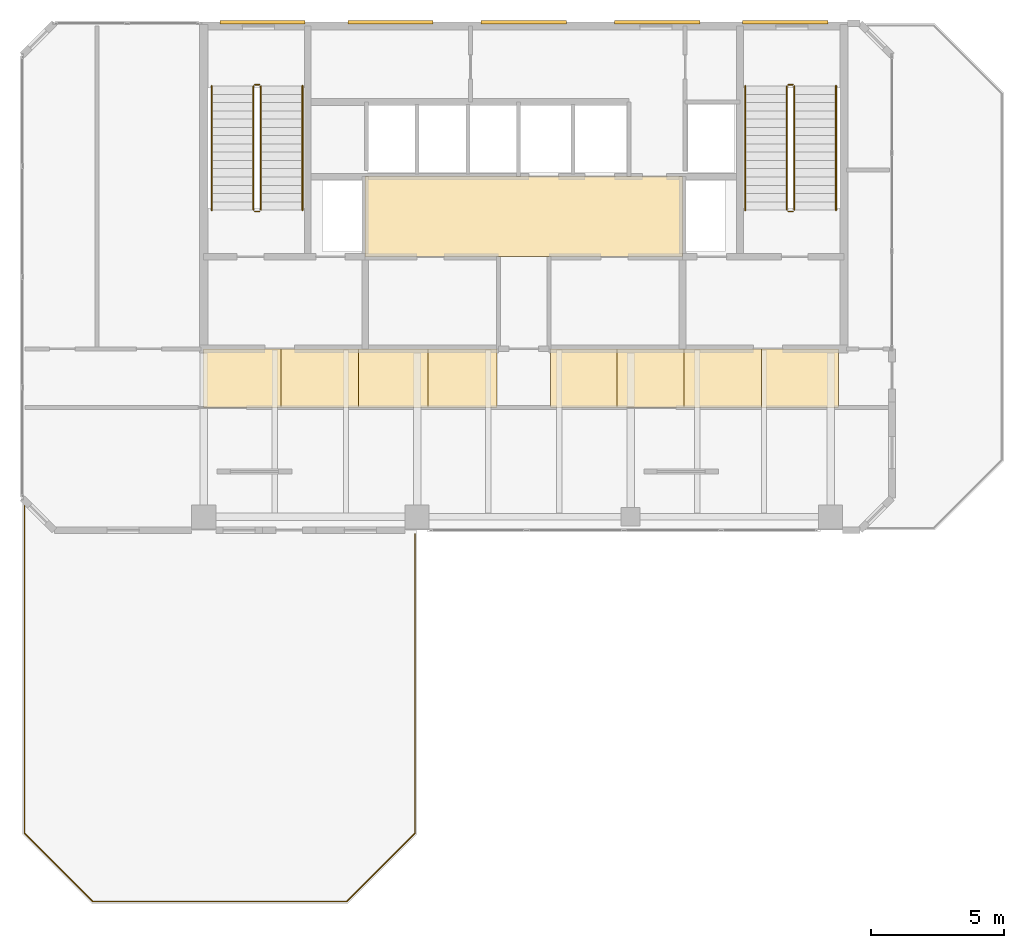
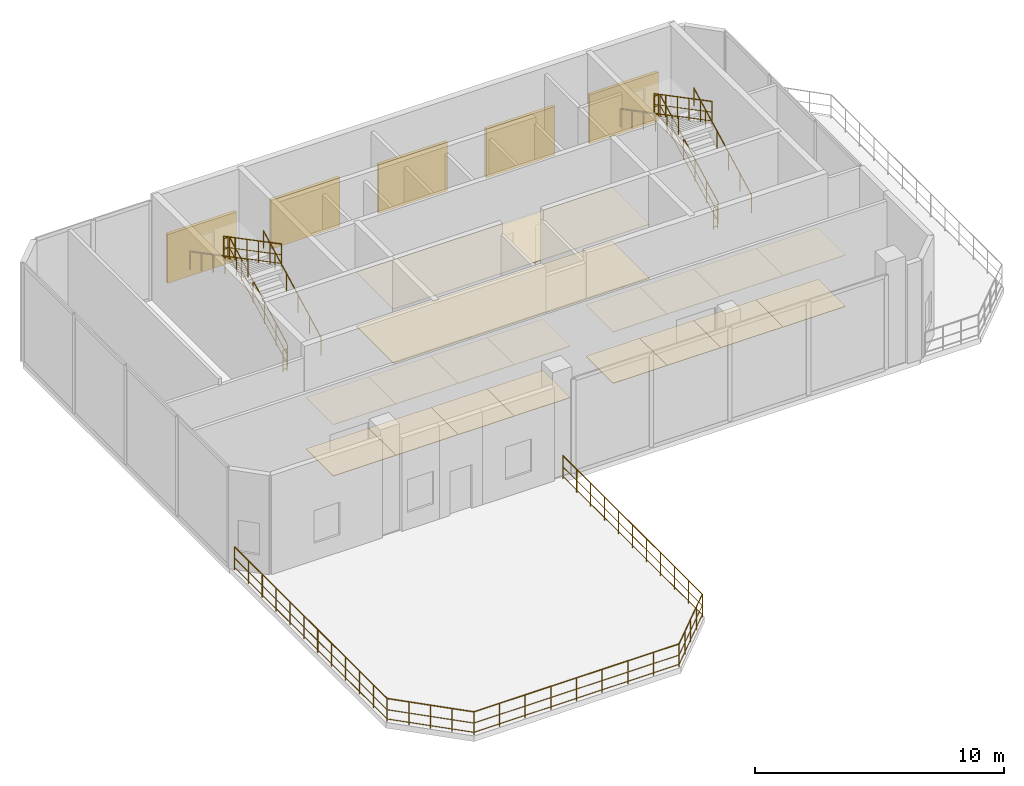
# One storey, part 10 of 11: 18 coverings, 14 railings, 5 shading devices.
"""IFC4 building model written with IfcOpenShell, lengths in metres."""

from ifc_helpers import new_model, si_unit, direction, frame, origin, origin_2d, place, context, subcontext, project, spatial, polyline, rectangle, circle, outline, extrude, material, layer, layer_set, type_object, element, save


model = new_model("IFC4")

# Units and contexts
model_context = context("Model", 3, precision=1e-05, world=origin(), true_north=direction((0.0, 1.0)))
body_context = subcontext(model_context, "Body", "Model", "MODEL_VIEW")
ifc_project = project(units=[si_unit("LENGTHUNIT", "METRE"), si_unit("AREAUNIT", "SQUARE_METRE"), si_unit("VOLUMEUNIT", "CUBIC_METRE"), si_unit("PLANEANGLEUNIT", "RADIAN"), si_unit("MASSUNIT", "GRAM", prefix="KILO")], contexts=[model_context])

# Site, building, storey
site_placement = place(None, origin())
site = spatial("IfcSite", under=ifc_project, at=site_placement, CompositionType="ELEMENT")
building_placement = place(site_placement, origin())
building = spatial("IfcBuilding", under=site, at=building_placement, Name="Catumbela Crestline Tower", CompositionType="ELEMENT")
storey_placement = place(building_placement, frame((0.0, 0.0, 290.6)))
storey = spatial("IfcBuildingStorey", under=building, at=storey_placement, Name="L75", CompositionType="ELEMENT", Elevation=290.6)

# Coverings
ifc_material_1 = material(Name="Mineral-fibre acoustic ceiling")
ifc_layer_1 = layer(ifc_material_1, 0.03, Name="Mineral-fibre acoustic ceiling")
ifc_layer_set_1 = layer_set([ifc_layer_1], Name="Mineral-fibre acoustic ceiling")
covering_type_1 = type_object("IfcCoveringType", Name="CC-AC", PredefinedType="CEILING", material=ifc_layer_set_1)
covering_1_placement = place(storey_placement, frame((0.0, 0.0, 2.65)))
element("IfcCovering", 1, at=covering_1_placement, inside=storey, type_object=covering_type_1, Name="L75 Lift Lobby Acoustic Ceiling", PredefinedType="CEILING", context=body_context, shape_type="SweptSolid", body=[
    extrude(outline(polyline([(22.05, 34.25), (33.95, 34.25), (33.95, 37.25), (22.05, 37.25), (22.05, 34.25)])), origin(), (0.0, 0.0, 1.0), 0.03),
])
covering_2_placement = place(storey_placement, frame((0.0, 0.0, 2.52)))
element("IfcCovering", 2, at=covering_2_placement, inside=storey, type_object=covering_type_1, Name="L75 Corridor Acoustic Ceiling Bay 1", PredefinedType="CEILING", context=body_context, shape_type="SweptSolid", body=[
    extrude(outline(polyline([(16.0, 28.6), (18.9, 28.6), (18.9, 30.8), (16.0, 30.8), (16.0, 28.6)])), origin(), (0.0, 0.0, 1.0), 0.03),
])
covering_3_placement = place(storey_placement, frame((0.0, 0.0, 2.52)))
element("IfcCovering", 3, at=covering_3_placement, inside=storey, type_object=covering_type_1, Name="L75 Corridor Acoustic Ceiling Bay 2", PredefinedType="CEILING", context=body_context, shape_type="SweptSolid", body=[
    extrude(outline(polyline([(18.9, 28.6), (21.8, 28.6), (21.8, 30.8), (18.9, 30.8), (18.9, 28.6)])), origin(), (0.0, 0.0, 1.0), 0.03),
])
covering_4_placement = place(storey_placement, frame((0.0, 0.0, 2.52)))
element("IfcCovering", 4, at=covering_4_placement, inside=storey, type_object=covering_type_1, Name="L75 Corridor Acoustic Ceiling Bay 3", PredefinedType="CEILING", context=body_context, shape_type="SweptSolid", body=[
    extrude(outline(polyline([(21.8, 28.6), (24.4, 28.6), (24.4, 30.8), (21.8, 30.8), (21.8, 28.6)])), origin(), (0.0, 0.0, 1.0), 0.03),
])
covering_5_placement = place(storey_placement, frame((0.0, 0.0, 2.52)))
element("IfcCovering", 5, at=covering_5_placement, inside=storey, type_object=covering_type_1, Name="L75 Corridor Acoustic Ceiling Bay 4", PredefinedType="CEILING", context=body_context, shape_type="SweptSolid", body=[
    extrude(outline(polyline([(24.4, 28.6), (27.0, 28.6), (27.0, 30.8), (24.4, 30.8), (24.4, 28.6)])), origin(), (0.0, 0.0, 1.0), 0.03),
])
covering_6_placement = place(storey_placement, frame((0.0, 0.0, 2.52)))
element("IfcCovering", 6, at=covering_6_placement, inside=storey, type_object=covering_type_1, Name="L75 Corridor Acoustic Ceiling Bay 5", PredefinedType="CEILING", context=body_context, shape_type="SweptSolid", body=[
    extrude(outline(polyline([(29.0, 28.6), (31.5, 28.6), (31.5, 30.8), (29.0, 30.8), (29.0, 28.6)])), origin(), (0.0, 0.0, 1.0), 0.03),
])
covering_7_placement = place(storey_placement, frame((0.0, 0.0, 2.52)))
element("IfcCovering", 7, at=covering_7_placement, inside=storey, type_object=covering_type_1, Name="L75 Corridor Acoustic Ceiling Bay 6", PredefinedType="CEILING", context=body_context, shape_type="SweptSolid", body=[
    extrude(outline(polyline([(31.5, 28.6), (34.0, 28.6), (34.0, 30.8), (31.5, 30.8), (31.5, 28.6)])), origin(), (0.0, 0.0, 1.0), 0.03),
])
covering_8_placement = place(storey_placement, frame((0.0, 0.0, 2.52)))
element("IfcCovering", 8, at=covering_8_placement, inside=storey, type_object=covering_type_1, Name="L75 Corridor Acoustic Ceiling Bay 7", PredefinedType="CEILING", context=body_context, shape_type="SweptSolid", body=[
    extrude(outline(polyline([(34.0, 28.6), (36.9, 28.6), (36.9, 30.8), (34.0, 30.8), (34.0, 28.6)])), origin(), (0.0, 0.0, 1.0), 0.03),
])
covering_9_placement = place(storey_placement, frame((0.0, 0.0, 2.52)))
element("IfcCovering", 9, at=covering_9_placement, inside=storey, type_object=covering_type_1, Name="L75 Corridor Acoustic Ceiling Bay 8", PredefinedType="CEILING", context=body_context, shape_type="SweptSolid", body=[
    extrude(outline(polyline([(36.9, 28.6), (39.8, 28.6), (39.8, 30.8), (36.9, 30.8), (36.9, 28.6)])), origin(), (0.0, 0.0, 1.0), 0.03),
])
ifc_material_2 = material(Name="Angolan grey-ochre granite", Category="masonry")
ifc_layer_2 = layer(ifc_material_2, 0.025, Name="Angolan grey-ochre granite")
ifc_layer_set_2 = layer_set([ifc_layer_2], Name="Angolan grey-ochre granite")
covering_type_2 = type_object("IfcCoveringType", Name="CF-GR", PredefinedType="FLOORING", material=ifc_layer_set_2)
covering_10_placement = place(storey_placement, origin())
element("IfcCovering", 10, at=covering_10_placement, inside=storey, type_object=covering_type_2, Name="L75 Corridor Granite Flooring Bay 1", PredefinedType="FLOORING", context=body_context, shape_type="SweptSolid", body=[
    extrude(outline(polyline([(16.0, 28.6), (18.9, 28.6), (18.9, 30.8), (16.0, 30.8), (16.0, 28.6)])), origin(), (0.0, 0.0, 1.0), 0.025),
])
covering_11_placement = place(storey_placement, origin())
element("IfcCovering", 11, at=covering_11_placement, inside=storey, type_object=covering_type_2, Name="L75 Corridor Granite Flooring Bay 2", PredefinedType="FLOORING", context=body_context, shape_type="SweptSolid", body=[
    extrude(outline(polyline([(18.9, 28.6), (21.8, 28.6), (21.8, 30.8), (18.9, 30.8), (18.9, 28.6)])), origin(), (0.0, 0.0, 1.0), 0.025),
])
covering_12_placement = place(storey_placement, origin())
element("IfcCovering", 12, at=covering_12_placement, inside=storey, type_object=covering_type_2, Name="L75 Corridor Granite Flooring Bay 3", PredefinedType="FLOORING", context=body_context, shape_type="SweptSolid", body=[
    extrude(outline(polyline([(21.8, 28.6), (24.4, 28.6), (24.4, 30.8), (21.8, 30.8), (21.8, 28.6)])), origin(), (0.0, 0.0, 1.0), 0.025),
])
covering_13_placement = place(storey_placement, origin())
element("IfcCovering", 13, at=covering_13_placement, inside=storey, type_object=covering_type_2, Name="L75 Corridor Granite Flooring Bay 4", PredefinedType="FLOORING", context=body_context, shape_type="SweptSolid", body=[
    extrude(outline(polyline([(24.4, 28.6), (27.0, 28.6), (27.0, 30.8), (24.4, 30.8), (24.4, 28.6)])), origin(), (0.0, 0.0, 1.0), 0.025),
])
covering_14_placement = place(storey_placement, origin())
element("IfcCovering", 14, at=covering_14_placement, inside=storey, type_object=covering_type_2, Name="L75 Corridor Granite Flooring Bay 5", PredefinedType="FLOORING", context=body_context, shape_type="SweptSolid", body=[
    extrude(outline(polyline([(29.0, 28.6), (31.5, 28.6), (31.5, 30.8), (29.0, 30.8), (29.0, 28.6)])), origin(), (0.0, 0.0, 1.0), 0.025),
])
covering_15_placement = place(storey_placement, origin())
element("IfcCovering", 15, at=covering_15_placement, inside=storey, type_object=covering_type_2, Name="L75 Corridor Granite Flooring Bay 6", PredefinedType="FLOORING", context=body_context, shape_type="SweptSolid", body=[
    extrude(outline(polyline([(31.5, 28.6), (34.0, 28.6), (34.0, 30.8), (31.5, 30.8), (31.5, 28.6)])), origin(), (0.0, 0.0, 1.0), 0.025),
])
covering_16_placement = place(storey_placement, origin())
element("IfcCovering", 16, at=covering_16_placement, inside=storey, type_object=covering_type_2, Name="L75 Corridor Granite Flooring Bay 7", PredefinedType="FLOORING", context=body_context, shape_type="SweptSolid", body=[
    extrude(outline(polyline([(34.0, 28.6), (36.9, 28.6), (36.9, 30.8), (34.0, 30.8), (34.0, 28.6)])), origin(), (0.0, 0.0, 1.0), 0.025),
])
covering_17_placement = place(storey_placement, origin())
element("IfcCovering", 17, at=covering_17_placement, inside=storey, type_object=covering_type_2, Name="L75 Corridor Granite Flooring Bay 8", PredefinedType="FLOORING", context=body_context, shape_type="SweptSolid", body=[
    extrude(outline(polyline([(36.9, 28.6), (39.8, 28.6), (39.8, 30.8), (36.9, 30.8), (36.9, 28.6)])), origin(), (0.0, 0.0, 1.0), 0.025),
])
covering_18_placement = place(storey_placement, origin())
element("IfcCovering", 18, at=covering_18_placement, inside=storey, type_object=covering_type_2, Name="L75 Lift Lobby Granite Flooring", PredefinedType="FLOORING", context=body_context, shape_type="SweptSolid", body=[
    extrude(outline(polyline([(22.05, 34.25), (33.95, 34.25), (33.95, 37.25), (22.05, 37.25), (22.05, 34.25)])), origin(), (0.0, 0.0, 1.0), 0.025),
])

# Railings
ifc_material_3 = material(Name="Stainless steel EN 1.4401", Category="steel")
railing_type_1 = type_object("IfcRailingType", Name="RG-1100", PredefinedType="GUARDRAIL", material=ifc_material_3)
railing_1_placement = place(storey_placement, frame((18.14, 36.0, 0.1625)))
element("IfcRailing", 19, at=railing_1_placement, inside=storey, type_object=railing_type_1, Name="L75 ST-01 stair guard 1", PredefinedType="GUARDRAIL", context=body_context, shape_type="SweptSolid", body=[
    extrude(circle(Radius=0.024, at=origin_2d()), frame((0.0, 0.0, 1.076), z_axis=(0.0, 0.885691691827, 0.464273870716), x_axis=(-1.0, 0.0, 0.0)), (0.0, 0.0, 1.0), 5.2501),
    extrude(circle(Radius=0.0156, at=origin_2d()), frame((0.0, 0.0, 0.55), z_axis=(0.0, 0.885691691827, 0.464273870716), x_axis=(-1.0, 0.0, 0.0)), (0.0, 0.0, 1.0), 5.2501),
    extrude(circle(Radius=0.0156, at=origin_2d()), frame((0.0, 0.0, 0.12), z_axis=(0.0, 0.885691691827, 0.464273870716), x_axis=(-1.0, 0.0, 0.0)), (0.0, 0.0, 1.0), 5.2501),
    extrude(circle(Radius=0.021, at=origin_2d()), origin(), (0.0, 0.0, 1.0), 1.052),
    extrude(circle(Radius=0.021, at=origin_2d()), frame((0.0, 0.93, 0.4875)), (0.0, 0.0, 1.0), 1.052),
    extrude(circle(Radius=0.021, at=origin_2d()), frame((0.0, 1.86, 0.975)), (0.0, 0.0, 1.0), 1.052),
    extrude(circle(Radius=0.021, at=origin_2d()), frame((0.0, 2.79, 1.4625)), (0.0, 0.0, 1.0), 1.052),
    extrude(circle(Radius=0.021, at=origin_2d()), frame((0.0, 3.72, 1.95)), (0.0, 0.0, 1.0), 1.052),
    extrude(circle(Radius=0.021, at=origin_2d()), frame((0.0, 4.65, 2.4375)), (0.0, 0.0, 1.0), 1.052),
])
railing_2_placement = place(storey_placement, frame((18.09, 40.7, 2.6)))
element("IfcRailing", 20, at=railing_2_placement, inside=storey, type_object=railing_type_1, Name="L75 ST-01 stair guard 2", PredefinedType="GUARDRAIL", context=body_context, shape_type="SweptSolid", body=[
    extrude(circle(Radius=0.024, at=origin_2d()), frame((0.0, 0.0, 1.076), z_axis=(-1.0, 0.0, 0.0), x_axis=(0.0, -1.0, 0.0)), (0.0, 0.0, 1.0), 0.18),
    extrude(circle(Radius=0.0156, at=origin_2d()), frame((0.0, 0.0, 0.55), z_axis=(-1.0, 0.0, 0.0), x_axis=(0.0, -1.0, 0.0)), (0.0, 0.0, 1.0), 0.18),
    extrude(circle(Radius=0.0156, at=origin_2d()), frame((0.0, 0.0, 0.12), z_axis=(-1.0, 0.0, 0.0), x_axis=(0.0, -1.0, 0.0)), (0.0, 0.0, 1.0), 0.18),
    extrude(circle(Radius=0.021, at=origin_2d()), origin(), (0.0, 0.0, 1.0), 1.052),
    extrude(circle(Radius=0.021, at=origin_2d()), frame((-0.18, 0.0, 0.0)), (0.0, 0.0, 1.0), 1.052),
])
railing_3_placement = place(storey_placement, frame((17.86, 40.65, 2.7625)))
element("IfcRailing", 21, at=railing_3_placement, inside=storey, type_object=railing_type_1, Name="L75 ST-01 stair guard 3", PredefinedType="GUARDRAIL", context=body_context, shape_type="SweptSolid", body=[
    extrude(circle(Radius=0.024, at=origin_2d()), frame((0.0, 0.0, 1.076), z_axis=(0.0, -0.885691691827, 0.464273870716), x_axis=(1.0, 0.0, 0.0)), (0.0, 0.0, 1.0), 5.2501),
    extrude(circle(Radius=0.0156, at=origin_2d()), frame((0.0, 0.0, 0.55), z_axis=(0.0, -0.885691691827, 0.464273870716), x_axis=(1.0, 0.0, 0.0)), (0.0, 0.0, 1.0), 5.2501),
    extrude(circle(Radius=0.0156, at=origin_2d()), frame((0.0, 0.0, 0.12), z_axis=(0.0, -0.885691691827, 0.464273870716), x_axis=(1.0, 0.0, 0.0)), (0.0, 0.0, 1.0), 5.2501),
    extrude(circle(Radius=0.021, at=origin_2d()), origin(), (0.0, 0.0, 1.0), 1.052),
    extrude(circle(Radius=0.021, at=origin_2d()), frame((0.0, -0.93, 0.4875)), (0.0, 0.0, 1.0), 1.052),
    extrude(circle(Radius=0.021, at=origin_2d()), frame((0.0, -1.86, 0.975)), (0.0, 0.0, 1.0), 1.052),
    extrude(circle(Radius=0.021, at=origin_2d()), frame((0.0, -2.79, 1.4625)), (0.0, 0.0, 1.0), 1.052),
    extrude(circle(Radius=0.021, at=origin_2d()), frame((0.0, -3.72, 1.95)), (0.0, 0.0, 1.0), 1.052),
    extrude(circle(Radius=0.021, at=origin_2d()), frame((0.0, -4.65, 2.4375)), (0.0, 0.0, 1.0), 1.052),
])
railing_4_placement = place(storey_placement, frame((18.09, 35.95, 0.0)))
element("IfcRailing", 22, at=railing_4_placement, inside=storey, type_object=railing_type_1, Name="L75 ST-01 stair guard 4", PredefinedType="GUARDRAIL", context=body_context, shape_type="SweptSolid", body=[
    extrude(circle(Radius=0.024, at=origin_2d()), frame((0.0, 0.0, 1.076), z_axis=(-1.0, 0.0, 0.0), x_axis=(0.0, -1.0, 0.0)), (0.0, 0.0, 1.0), 0.18),
    extrude(circle(Radius=0.0156, at=origin_2d()), frame((0.0, 0.0, 0.55), z_axis=(-1.0, 0.0, 0.0), x_axis=(0.0, -1.0, 0.0)), (0.0, 0.0, 1.0), 0.18),
    extrude(circle(Radius=0.0156, at=origin_2d()), frame((0.0, 0.0, 0.12), z_axis=(-1.0, 0.0, 0.0), x_axis=(0.0, -1.0, 0.0)), (0.0, 0.0, 1.0), 0.18),
    extrude(circle(Radius=0.021, at=origin_2d()), origin(), (0.0, 0.0, 1.0), 1.052),
    extrude(circle(Radius=0.021, at=origin_2d()), frame((-0.18, 0.0, 0.0)), (0.0, 0.0, 1.0), 1.052),
])
railing_5_placement = place(storey_placement, frame((38.14, 36.0, 0.1625)))
element("IfcRailing", 23, at=railing_5_placement, inside=storey, type_object=railing_type_1, Name="L75 ST-02 stair guard 1", PredefinedType="GUARDRAIL", context=body_context, shape_type="SweptSolid", body=[
    extrude(circle(Radius=0.024, at=origin_2d()), frame((0.0, 0.0, 1.076), z_axis=(0.0, 0.885691691827, 0.464273870716), x_axis=(-1.0, 0.0, 0.0)), (0.0, 0.0, 1.0), 5.2501),
    extrude(circle(Radius=0.0156, at=origin_2d()), frame((0.0, 0.0, 0.55), z_axis=(0.0, 0.885691691827, 0.464273870716), x_axis=(-1.0, 0.0, 0.0)), (0.0, 0.0, 1.0), 5.2501),
    extrude(circle(Radius=0.0156, at=origin_2d()), frame((0.0, 0.0, 0.12), z_axis=(0.0, 0.885691691827, 0.464273870716), x_axis=(-1.0, 0.0, 0.0)), (0.0, 0.0, 1.0), 5.2501),
    extrude(circle(Radius=0.021, at=origin_2d()), origin(), (0.0, 0.0, 1.0), 1.052),
    extrude(circle(Radius=0.021, at=origin_2d()), frame((0.0, 0.93, 0.4875)), (0.0, 0.0, 1.0), 1.052),
    extrude(circle(Radius=0.021, at=origin_2d()), frame((0.0, 1.86, 0.975)), (0.0, 0.0, 1.0), 1.052),
    extrude(circle(Radius=0.021, at=origin_2d()), frame((0.0, 2.79, 1.4625)), (0.0, 0.0, 1.0), 1.052),
    extrude(circle(Radius=0.021, at=origin_2d()), frame((0.0, 3.72, 1.95)), (0.0, 0.0, 1.0), 1.052),
    extrude(circle(Radius=0.021, at=origin_2d()), frame((0.0, 4.65, 2.4375)), (0.0, 0.0, 1.0), 1.052),
])
railing_6_placement = place(storey_placement, frame((38.09, 40.7, 2.6)))
element("IfcRailing", 24, at=railing_6_placement, inside=storey, type_object=railing_type_1, Name="L75 ST-02 stair guard 2", PredefinedType="GUARDRAIL", context=body_context, shape_type="SweptSolid", body=[
    extrude(circle(Radius=0.024, at=origin_2d()), frame((0.0, 0.0, 1.076), z_axis=(-1.0, 0.0, 0.0), x_axis=(0.0, -1.0, 0.0)), (0.0, 0.0, 1.0), 0.18),
    extrude(circle(Radius=0.0156, at=origin_2d()), frame((0.0, 0.0, 0.55), z_axis=(-1.0, 0.0, 0.0), x_axis=(0.0, -1.0, 0.0)), (0.0, 0.0, 1.0), 0.18),
    extrude(circle(Radius=0.0156, at=origin_2d()), frame((0.0, 0.0, 0.12), z_axis=(-1.0, 0.0, 0.0), x_axis=(0.0, -1.0, 0.0)), (0.0, 0.0, 1.0), 0.18),
    extrude(circle(Radius=0.021, at=origin_2d()), origin(), (0.0, 0.0, 1.0), 1.052),
    extrude(circle(Radius=0.021, at=origin_2d()), frame((-0.18, 0.0, 0.0)), (0.0, 0.0, 1.0), 1.052),
])
railing_7_placement = place(storey_placement, frame((37.86, 40.65, 2.7625)))
element("IfcRailing", 25, at=railing_7_placement, inside=storey, type_object=railing_type_1, Name="L75 ST-02 stair guard 3", PredefinedType="GUARDRAIL", context=body_context, shape_type="SweptSolid", body=[
    extrude(circle(Radius=0.024, at=origin_2d()), frame((0.0, 0.0, 1.076), z_axis=(0.0, -0.885691691827, 0.464273870716), x_axis=(1.0, 0.0, 0.0)), (0.0, 0.0, 1.0), 5.2501),
    extrude(circle(Radius=0.0156, at=origin_2d()), frame((0.0, 0.0, 0.55), z_axis=(0.0, -0.885691691827, 0.464273870716), x_axis=(1.0, 0.0, 0.0)), (0.0, 0.0, 1.0), 5.2501),
    extrude(circle(Radius=0.0156, at=origin_2d()), frame((0.0, 0.0, 0.12), z_axis=(0.0, -0.885691691827, 0.464273870716), x_axis=(1.0, 0.0, 0.0)), (0.0, 0.0, 1.0), 5.2501),
    extrude(circle(Radius=0.021, at=origin_2d()), origin(), (0.0, 0.0, 1.0), 1.052),
    extrude(circle(Radius=0.021, at=origin_2d()), frame((0.0, -0.93, 0.4875)), (0.0, 0.0, 1.0), 1.052),
    extrude(circle(Radius=0.021, at=origin_2d()), frame((0.0, -1.86, 0.975)), (0.0, 0.0, 1.0), 1.052),
    extrude(circle(Radius=0.021, at=origin_2d()), frame((0.0, -2.79, 1.4625)), (0.0, 0.0, 1.0), 1.052),
    extrude(circle(Radius=0.021, at=origin_2d()), frame((0.0, -3.72, 1.95)), (0.0, 0.0, 1.0), 1.052),
    extrude(circle(Radius=0.021, at=origin_2d()), frame((0.0, -4.65, 2.4375)), (0.0, 0.0, 1.0), 1.052),
])
railing_8_placement = place(storey_placement, frame((38.09, 35.95, 0.0)))
element("IfcRailing", 26, at=railing_8_placement, inside=storey, type_object=railing_type_1, Name="L75 ST-02 stair guard 4", PredefinedType="GUARDRAIL", context=body_context, shape_type="SweptSolid", body=[
    extrude(circle(Radius=0.024, at=origin_2d()), frame((0.0, 0.0, 1.076), z_axis=(-1.0, 0.0, 0.0), x_axis=(0.0, -1.0, 0.0)), (0.0, 0.0, 1.0), 0.18),
    extrude(circle(Radius=0.0156, at=origin_2d()), frame((0.0, 0.0, 0.55), z_axis=(-1.0, 0.0, 0.0), x_axis=(0.0, -1.0, 0.0)), (0.0, 0.0, 1.0), 0.18),
    extrude(circle(Radius=0.0156, at=origin_2d()), frame((0.0, 0.0, 0.12), z_axis=(-1.0, 0.0, 0.0), x_axis=(0.0, -1.0, 0.0)), (0.0, 0.0, 1.0), 0.18),
    extrude(circle(Radius=0.021, at=origin_2d()), origin(), (0.0, 0.0, 1.0), 1.052),
    extrude(circle(Radius=0.021, at=origin_2d()), frame((-0.18, 0.0, 0.0)), (0.0, 0.0, 1.0), 1.052),
])
railing_type_2 = type_object("IfcRailingType", Name="RH-0900", PredefinedType="HANDRAIL", material=ifc_material_3)
railing_9_placement = place(storey_placement, frame((19.7, 36.0, 0.1625)))
element("IfcRailing", 27, at=railing_9_placement, inside=storey, type_object=railing_type_2, Name="L75 ST-01 stair handrail 1", PredefinedType="HANDRAIL", context=body_context, shape_type="SweptSolid", body=[
    extrude(circle(Radius=0.024, at=origin_2d()), frame((0.0, 0.0, 0.876), z_axis=(0.0, 0.885691691827, 0.464273870716), x_axis=(-1.0, 0.0, 0.0)), (0.0, 0.0, 1.0), 5.2501),
    extrude(circle(Radius=0.021, at=origin_2d()), origin(), (0.0, 0.0, 1.0), 0.852),
    extrude(circle(Radius=0.021, at=origin_2d()), frame((0.0, 0.93, 0.4875)), (0.0, 0.0, 1.0), 0.852),
    extrude(circle(Radius=0.021, at=origin_2d()), frame((0.0, 1.86, 0.975)), (0.0, 0.0, 1.0), 0.852),
    extrude(circle(Radius=0.021, at=origin_2d()), frame((0.0, 2.79, 1.4625)), (0.0, 0.0, 1.0), 0.852),
    extrude(circle(Radius=0.021, at=origin_2d()), frame((0.0, 3.72, 1.95)), (0.0, 0.0, 1.0), 0.852),
    extrude(circle(Radius=0.021, at=origin_2d()), frame((0.0, 4.65, 2.4375)), (0.0, 0.0, 1.0), 0.852),
])
railing_10_placement = place(storey_placement, frame((16.3, 40.65, 2.7625)))
element("IfcRailing", 28, at=railing_10_placement, inside=storey, type_object=railing_type_2, Name="L75 ST-01 stair handrail 2", PredefinedType="HANDRAIL", context=body_context, shape_type="SweptSolid", body=[
    extrude(circle(Radius=0.024, at=origin_2d()), frame((0.0, 0.0, 0.876), z_axis=(0.0, -0.885691691827, 0.464273870716), x_axis=(1.0, 0.0, 0.0)), (0.0, 0.0, 1.0), 5.2501),
    extrude(circle(Radius=0.021, at=origin_2d()), origin(), (0.0, 0.0, 1.0), 0.852),
    extrude(circle(Radius=0.021, at=origin_2d()), frame((0.0, -0.93, 0.4875)), (0.0, 0.0, 1.0), 0.852),
    extrude(circle(Radius=0.021, at=origin_2d()), frame((0.0, -1.86, 0.975)), (0.0, 0.0, 1.0), 0.852),
    extrude(circle(Radius=0.021, at=origin_2d()), frame((0.0, -2.79, 1.4625)), (0.0, 0.0, 1.0), 0.852),
    extrude(circle(Radius=0.021, at=origin_2d()), frame((0.0, -3.72, 1.95)), (0.0, 0.0, 1.0), 0.852),
    extrude(circle(Radius=0.021, at=origin_2d()), frame((0.0, -4.65, 2.4375)), (0.0, 0.0, 1.0), 0.852),
])
railing_11_placement = place(storey_placement, frame((39.7, 36.0, 0.1625)))
element("IfcRailing", 29, at=railing_11_placement, inside=storey, type_object=railing_type_2, Name="L75 ST-02 stair handrail 1", PredefinedType="HANDRAIL", context=body_context, shape_type="SweptSolid", body=[
    extrude(circle(Radius=0.024, at=origin_2d()), frame((0.0, 0.0, 0.876), z_axis=(0.0, 0.885691691827, 0.464273870716), x_axis=(-1.0, 0.0, 0.0)), (0.0, 0.0, 1.0), 5.2501),
    extrude(circle(Radius=0.021, at=origin_2d()), origin(), (0.0, 0.0, 1.0), 0.852),
    extrude(circle(Radius=0.021, at=origin_2d()), frame((0.0, 0.93, 0.4875)), (0.0, 0.0, 1.0), 0.852),
    extrude(circle(Radius=0.021, at=origin_2d()), frame((0.0, 1.86, 0.975)), (0.0, 0.0, 1.0), 0.852),
    extrude(circle(Radius=0.021, at=origin_2d()), frame((0.0, 2.79, 1.4625)), (0.0, 0.0, 1.0), 0.852),
    extrude(circle(Radius=0.021, at=origin_2d()), frame((0.0, 3.72, 1.95)), (0.0, 0.0, 1.0), 0.852),
    extrude(circle(Radius=0.021, at=origin_2d()), frame((0.0, 4.65, 2.4375)), (0.0, 0.0, 1.0), 0.852),
])
railing_12_placement = place(storey_placement, frame((36.3, 40.65, 2.7625)))
element("IfcRailing", 30, at=railing_12_placement, inside=storey, type_object=railing_type_2, Name="L75 ST-02 stair handrail 2", PredefinedType="HANDRAIL", context=body_context, shape_type="SweptSolid", body=[
    extrude(circle(Radius=0.024, at=origin_2d()), frame((0.0, 0.0, 0.876), z_axis=(0.0, -0.885691691827, 0.464273870716), x_axis=(1.0, 0.0, 0.0)), (0.0, 0.0, 1.0), 5.2501),
    extrude(circle(Radius=0.021, at=origin_2d()), origin(), (0.0, 0.0, 1.0), 0.852),
    extrude(circle(Radius=0.021, at=origin_2d()), frame((0.0, -0.93, 0.4875)), (0.0, 0.0, 1.0), 0.852),
    extrude(circle(Radius=0.021, at=origin_2d()), frame((0.0, -1.86, 0.975)), (0.0, 0.0, 1.0), 0.852),
    extrude(circle(Radius=0.021, at=origin_2d()), frame((0.0, -2.79, 1.4625)), (0.0, 0.0, 1.0), 0.852),
    extrude(circle(Radius=0.021, at=origin_2d()), frame((0.0, -3.72, 1.95)), (0.0, 0.0, 1.0), 0.852),
    extrude(circle(Radius=0.021, at=origin_2d()), frame((0.0, -4.65, 2.4375)), (0.0, 0.0, 1.0), 0.852),
])
railing_type_3 = type_object("IfcRailingType", Name="RT-1150", PredefinedType="BALUSTRADE", material=ifc_material_3)
railing_13_placement = place(storey_placement, frame((21.3669, 10.08, 0.0)))
element("IfcRailing", 31, at=railing_13_placement, inside=storey, type_object=railing_type_3, Name="L75 Stepped Terrace Balustrade 1-1", PredefinedType="BALUSTRADE", context=body_context, shape_type="SweptSolid", body=[
    extrude(circle(Radius=0.024, at=origin_2d()), frame((0.0, 0.0, 1.126), z_axis=(-1.0, 0.0, 0.0), x_axis=(0.0, -1.0, 0.0)), (0.0, 0.0, 1.0), 9.5338),
    extrude(circle(Radius=0.0156, at=origin_2d()), frame((0.0, 0.0, 0.575), z_axis=(-1.0, 0.0, 0.0), x_axis=(0.0, -1.0, 0.0)), (0.0, 0.0, 1.0), 9.5338),
    extrude(circle(Radius=0.0156, at=origin_2d()), frame((0.0, 0.0, 0.12), z_axis=(-1.0, 0.0, 0.0), x_axis=(0.0, -1.0, 0.0)), (0.0, 0.0, 1.0), 9.5338),
    extrude(circle(Radius=0.024, at=origin_2d()), frame((-9.5338, 0.0, 1.126), z_axis=(-0.707106781187, 0.707106781187, 0.0), x_axis=(-0.707106781187, -0.707106781187, 0.0)), (0.0, 0.0, 1.0), 3.6106),
    extrude(circle(Radius=0.0156, at=origin_2d()), frame((-9.5338, 0.0, 0.575), z_axis=(-0.707106781187, 0.707106781187, 0.0), x_axis=(-0.707106781187, -0.707106781187, 0.0)), (0.0, 0.0, 1.0), 3.6106),
    extrude(circle(Radius=0.0156, at=origin_2d()), frame((-9.5338, 0.0, 0.12), z_axis=(-0.707106781187, 0.707106781187, 0.0), x_axis=(-0.707106781187, -0.707106781187, 0.0)), (0.0, 0.0, 1.0), 3.6106),
    extrude(circle(Radius=0.024, at=origin_2d()), frame((-12.0869, 2.5531, 1.126), z_axis=(0.0, 1.0, 0.0), x_axis=(-1.0, 0.0, 0.0)), (0.0, 0.0, 1.0), 12.2889),
    extrude(circle(Radius=0.0156, at=origin_2d()), frame((-12.0869, 2.5531, 0.575), z_axis=(0.0, 1.0, 0.0), x_axis=(-1.0, 0.0, 0.0)), (0.0, 0.0, 1.0), 12.2889),
    extrude(circle(Radius=0.0156, at=origin_2d()), frame((-12.0869, 2.5531, 0.12), z_axis=(0.0, 1.0, 0.0), x_axis=(-1.0, 0.0, 0.0)), (0.0, 0.0, 1.0), 12.2889),
    extrude(circle(Radius=0.021, at=origin_2d()), origin(), (0.0, 0.0, 1.0), 1.102),
    extrude(circle(Radius=0.021, at=origin_2d()), frame((-1.1917, 0.0, 0.0)), (0.0, 0.0, 1.0), 1.102),
    extrude(circle(Radius=0.021, at=origin_2d()), frame((-2.3835, 0.0, 0.0)), (0.0, 0.0, 1.0), 1.102),
    extrude(circle(Radius=0.021, at=origin_2d()), frame((-3.5752, 0.0, 0.0)), (0.0, 0.0, 1.0), 1.102),
    extrude(circle(Radius=0.021, at=origin_2d()), frame((-4.7669, 0.0, 0.0)), (0.0, 0.0, 1.0), 1.102),
    extrude(circle(Radius=0.021, at=origin_2d()), frame((-5.9586, 0.0, 0.0)), (0.0, 0.0, 1.0), 1.102),
    extrude(circle(Radius=0.021, at=origin_2d()), frame((-7.1504, 0.0, 0.0)), (0.0, 0.0, 1.0), 1.102),
    extrude(circle(Radius=0.021, at=origin_2d()), frame((-8.3421, 0.0, 0.0)), (0.0, 0.0, 1.0), 1.102),
    extrude(circle(Radius=0.021, at=origin_2d()), frame((-9.5338, 0.0, 0.0)), (0.0, 0.0, 1.0), 1.102),
    extrude(circle(Radius=0.021, at=origin_2d()), frame((-10.1721, 0.6383, 0.0)), (0.0, 0.0, 1.0), 1.102),
    extrude(circle(Radius=0.021, at=origin_2d()), frame((-10.8104, 1.2766, 0.0)), (0.0, 0.0, 1.0), 1.102),
    extrude(circle(Radius=0.021, at=origin_2d()), frame((-11.4486, 1.9148, 0.0)), (0.0, 0.0, 1.0), 1.102),
    extrude(circle(Radius=0.021, at=origin_2d()), frame((-12.0869, 2.5531, 0.0)), (0.0, 0.0, 1.0), 1.102),
    extrude(circle(Radius=0.021, at=origin_2d()), frame((-12.0869, 3.6703, 0.0)), (0.0, 0.0, 1.0), 1.102),
    extrude(circle(Radius=0.021, at=origin_2d()), frame((-12.0869, 4.7874, 0.0)), (0.0, 0.0, 1.0), 1.102),
    extrude(circle(Radius=0.021, at=origin_2d()), frame((-12.0869, 5.9046, 0.0)), (0.0, 0.0, 1.0), 1.102),
    extrude(circle(Radius=0.021, at=origin_2d()), frame((-12.0869, 7.0218, 0.0)), (0.0, 0.0, 1.0), 1.102),
    extrude(circle(Radius=0.021, at=origin_2d()), frame((-12.0869, 8.139, 0.0)), (0.0, 0.0, 1.0), 1.102),
    extrude(circle(Radius=0.021, at=origin_2d()), frame((-12.0869, 9.2561, 0.0)), (0.0, 0.0, 1.0), 1.102),
    extrude(circle(Radius=0.021, at=origin_2d()), frame((-12.0869, 10.3733, 0.0)), (0.0, 0.0, 1.0), 1.102),
    extrude(circle(Radius=0.021, at=origin_2d()), frame((-12.0869, 11.4905, 0.0)), (0.0, 0.0, 1.0), 1.102),
    extrude(circle(Radius=0.021, at=origin_2d()), frame((-12.0869, 12.6077, 0.0)), (0.0, 0.0, 1.0), 1.102),
    extrude(circle(Radius=0.021, at=origin_2d()), frame((-12.0869, 13.7248, 0.0)), (0.0, 0.0, 1.0), 1.102),
    extrude(circle(Radius=0.021, at=origin_2d()), frame((-12.0869, 14.842, 0.0)), (0.0, 0.0, 1.0), 1.102),
])
railing_14_placement = place(storey_placement, frame((23.92, 23.86, 0.0)))
element("IfcRailing", 32, at=railing_14_placement, inside=storey, type_object=railing_type_3, Name="L75 Stepped Terrace Balustrade 1-2", PredefinedType="BALUSTRADE", context=body_context, shape_type="SweptSolid", body=[
    extrude(circle(Radius=0.024, at=origin_2d()), frame((0.0, 0.0, 1.126), z_axis=(0.0, -1.0, 0.0), x_axis=(1.0, 0.0, 0.0)), (0.0, 0.0, 1.0), 11.2269),
    extrude(circle(Radius=0.0156, at=origin_2d()), frame((0.0, 0.0, 0.575), z_axis=(0.0, -1.0, 0.0), x_axis=(1.0, 0.0, 0.0)), (0.0, 0.0, 1.0), 11.2269),
    extrude(circle(Radius=0.0156, at=origin_2d()), frame((0.0, 0.0, 0.12), z_axis=(0.0, -1.0, 0.0), x_axis=(1.0, 0.0, 0.0)), (0.0, 0.0, 1.0), 11.2269),
    extrude(circle(Radius=0.024, at=origin_2d()), frame((0.0, -11.2269, 1.126), z_axis=(-0.707106781187, -0.707106781187, 0.0), x_axis=(0.707106781187, -0.707106781187, 0.0)), (0.0, 0.0, 1.0), 3.6106),
    extrude(circle(Radius=0.0156, at=origin_2d()), frame((0.0, -11.2269, 0.575), z_axis=(-0.707106781187, -0.707106781187, 0.0), x_axis=(0.707106781187, -0.707106781187, 0.0)), (0.0, 0.0, 1.0), 3.6106),
    extrude(circle(Radius=0.0156, at=origin_2d()), frame((0.0, -11.2269, 0.12), z_axis=(-0.707106781187, -0.707106781187, 0.0), x_axis=(0.707106781187, -0.707106781187, 0.0)), (0.0, 0.0, 1.0), 3.6106),
    extrude(circle(Radius=0.021, at=origin_2d()), origin(), (0.0, 0.0, 1.0), 1.102),
    extrude(circle(Radius=0.021, at=origin_2d()), frame((0.0, -1.1227, 0.0)), (0.0, 0.0, 1.0), 1.102),
    extrude(circle(Radius=0.021, at=origin_2d()), frame((0.0, -2.2454, 0.0)), (0.0, 0.0, 1.0), 1.102),
    extrude(circle(Radius=0.021, at=origin_2d()), frame((0.0, -3.3681, 0.0)), (0.0, 0.0, 1.0), 1.102),
    extrude(circle(Radius=0.021, at=origin_2d()), frame((0.0, -4.4908, 0.0)), (0.0, 0.0, 1.0), 1.102),
    extrude(circle(Radius=0.021, at=origin_2d()), frame((0.0, -5.6134, 0.0)), (0.0, 0.0, 1.0), 1.102),
    extrude(circle(Radius=0.021, at=origin_2d()), frame((0.0, -6.7361, 0.0)), (0.0, 0.0, 1.0), 1.102),
    extrude(circle(Radius=0.021, at=origin_2d()), frame((0.0, -7.8588, 0.0)), (0.0, 0.0, 1.0), 1.102),
    extrude(circle(Radius=0.021, at=origin_2d()), frame((0.0, -8.9815, 0.0)), (0.0, 0.0, 1.0), 1.102),
    extrude(circle(Radius=0.021, at=origin_2d()), frame((0.0, -10.1042, 0.0)), (0.0, 0.0, 1.0), 1.102),
    extrude(circle(Radius=0.021, at=origin_2d()), frame((0.0, -11.2269, 0.0)), (0.0, 0.0, 1.0), 1.102),
    extrude(circle(Radius=0.021, at=origin_2d()), frame((-0.6383, -11.8652, 0.0)), (0.0, 0.0, 1.0), 1.102),
    extrude(circle(Radius=0.021, at=origin_2d()), frame((-1.2766, -12.5034, 0.0)), (0.0, 0.0, 1.0), 1.102),
    extrude(circle(Radius=0.021, at=origin_2d()), frame((-1.9148, -13.1417, 0.0)), (0.0, 0.0, 1.0), 1.102),
    extrude(circle(Radius=0.021, at=origin_2d()), frame((-2.5531, -13.78, 0.0)), (0.0, 0.0, 1.0), 1.102),
])

# Shading devices
ifc_material_4 = material(Name="Extruded terracotta ceramic", Category="masonry")
shading_device_type_1 = type_object("IfcShadingDeviceType", Name="ST-180", PredefinedType="USERDEFINED", material=ifc_material_4)
for number, where, z_axis, x_axis, name in (
    (33, (18.2, 43.04, 0.55), (0.0, 0.0, 1.0), (1.0, 0.0, 0.0), "L75 Rear Core Terracotta Brise-Soleil Screen 924"),
    (34, (33.0, 43.04, 0.55), (0.0, 0.0, 1.0), (1.0, 0.0, 0.0), "L75 Rear Core Terracotta Brise-Soleil Screen 927"),
):
    element("IfcShadingDevice", number, at=place(storey_placement, frame(where, z_axis=z_axis, x_axis=x_axis)), inside=storey, type_object=shading_device_type_1, Name=name, ObjectType="SCREEN", PredefinedType="USERDEFINED", context=body_context, shape_type="SweptSolid", body=[
        extrude(rectangle(XDim=3.2, YDim=0.14, at=origin_2d()), origin(), (0.0, 0.0, 1.0), 2.4),
    ])
shading_device_type_2 = type_object("IfcShadingDeviceType", Name="ST-260", PredefinedType="USERDEFINED", material=ifc_material_4)
for number, where, z_axis, x_axis, name in (
    (35, (28.0, 43.04, 0.55), (0.0, 0.0, 1.0), (1.0, 0.0, 0.0), "L75 Rear Core Terracotta Brise-Soleil Screen 926"),
    (36, (37.8, 43.04, 0.55), (0.0, 0.0, 1.0), (1.0, 0.0, 0.0), "L75 Rear Core Terracotta Brise-Soleil Screen 928"),
):
    element("IfcShadingDevice", number, at=place(storey_placement, frame(where, z_axis=z_axis, x_axis=x_axis)), inside=storey, type_object=shading_device_type_2, Name=name, ObjectType="SCREEN", PredefinedType="USERDEFINED", context=body_context, shape_type="SweptSolid", body=[
        extrude(rectangle(XDim=3.2, YDim=0.14, at=origin_2d()), origin(), (0.0, 0.0, 1.0), 2.4),
    ])
shading_device_type_3 = type_object("IfcShadingDeviceType", Name="ST-340", PredefinedType="USERDEFINED", material=ifc_material_4)
shading_device_placement = place(storey_placement, frame((23.0, 43.04, 0.55), z_axis=(0.0, 0.0, 1.0), x_axis=(1.0, 0.0, 0.0)))
element("IfcShadingDevice", 37, at=shading_device_placement, inside=storey, type_object=shading_device_type_3, Name="L75 Rear Core Terracotta Brise-Soleil Screen 925", ObjectType="SCREEN", PredefinedType="USERDEFINED", context=body_context, shape_type="SweptSolid", body=[
    extrude(rectangle(XDim=3.2, YDim=0.14, at=origin_2d()), origin(), (0.0, 0.0, 1.0), 2.4),
])

save(model, "model.ifc")
